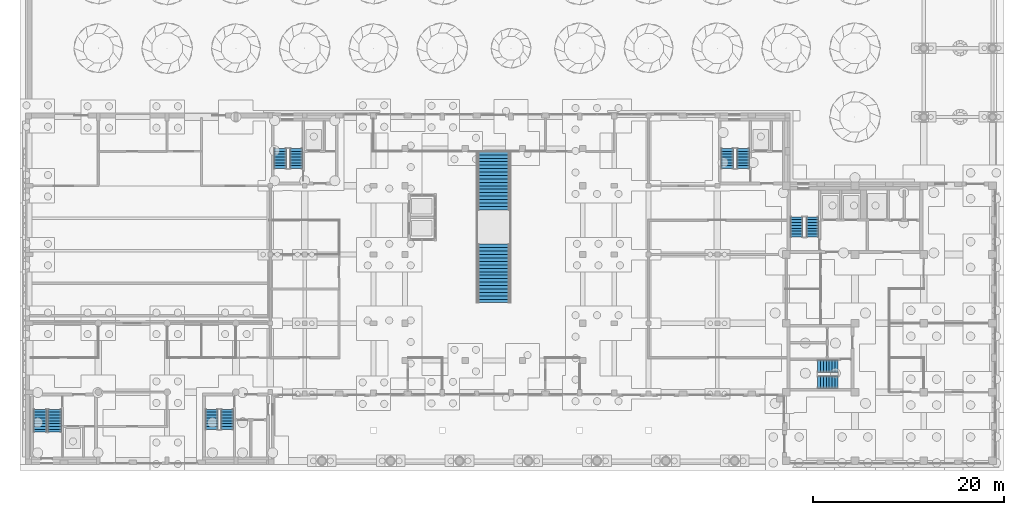
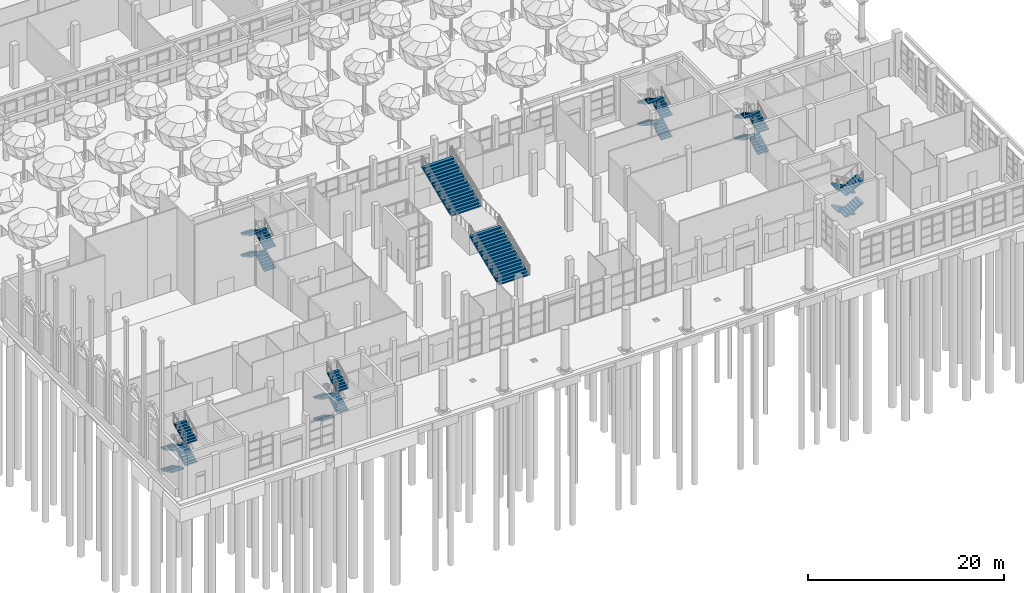
# One storey, part 54 of 80: 26 stair flights, 7 elements without a shape of their own.
"""IFC4 building model written with IfcOpenShell, lengths in metres."""

from ifc_helpers import new_model, si_unit, direction, frame, origin, place, context, subcontext, project, spatial, polyline, outline, extrude, material, type_object, element, aggregate, save


model = new_model("IFC4")

# Units and contexts
model_context = context("Model", 3, precision=1e-05, world=origin(), true_north=direction((0.0, 1.0)))
body_context = subcontext(model_context, "Body", "Model", "MODEL_VIEW")
ifc_project = project(units=[si_unit("LENGTHUNIT", "METRE"), si_unit("AREAUNIT", "SQUARE_METRE"), si_unit("VOLUMEUNIT", "CUBIC_METRE"), si_unit("PLANEANGLEUNIT", "RADIAN"), si_unit("MASSUNIT", "GRAM", prefix="KILO")], contexts=[model_context])

# Site, building, storey
site_placement = place(None, origin())
site = spatial("IfcSite", under=ifc_project, at=site_placement, CompositionType="ELEMENT")
building_placement = place(site_placement, origin())
building = spatial("IfcBuilding", under=site, at=building_placement, Name="Ussher Court Research Institute", CompositionType="ELEMENT")
storey_placement = place(building_placement, origin())
storey = spatial("IfcBuildingStorey", under=building, at=storey_placement, Name="L00", CompositionType="ELEMENT", Elevation=0.0)

# Stair, stair flights
ifc_material_1 = material(Name="Concrete C35/45", Category="concrete")
stair_type_1 = type_object("IfcStairType", Name="Monumental stair 36 risers 150 mm", PredefinedType="HALF_TURN_STAIR", material=ifc_material_1)
stair_1_placement = place(storey_placement, origin())
stair_1 = element("IfcStair", 1, at=stair_1_placement, inside=storey, type_object=stair_type_1, Name="L00 Monumental stair", PredefinedType="HALF_TURN_STAIR")
ifc_material_2 = material(Name="Concrete C35/45", Category="concrete")
stair_flight_type_1 = type_object("IfcStairFlightType", Name="Monumental stair flight 18 risers 3600 RC", PredefinedType="STRAIGHT", material=ifc_material_2)
stair_flight_1_placement = place(storey_placement, frame((51.60009765625, 20.56005859375, 0.0), z_axis=(0.0, 0.0, 1.0), x_axis=(0.0, 1.0, 0.0)))
stair_flight_1 = element("IfcStairFlight", 2, at=stair_flight_1_placement, type_object=stair_flight_type_1, Name="MS1 flight 1", NumberOfRisers=18, NumberOfTreads=17, PredefinedType="STRAIGHT", RiserHeight=0.15, TreadLength=0.36, context=body_context, shape_type="SweptSolid", body=[
    extrude(outline(polyline([(0.0, 0.0), (0.0, 0.14990234375), (0.360107421875, 0.14990234375), (0.360107421875, 0.300048828125), (0.719970703125, 0.300048828125), (0.719970703125, 0.449951171875), (1.080078125, 0.449951171875), (1.080078125, 0.60009765625), (1.43994140625, 0.60009765625), (1.43994140625, 0.75), (1.800048828125, 0.75), (1.800048828125, 0.89990234375), (2.159912109375, 0.89990234375), (2.159912109375, 1.050048828125), (2.52001953125, 1.050048828125), (2.52001953125, 1.199951171875), (2.8798828125, 1.199951171875), (2.8798828125, 1.35009765625), (3.239990234375, 1.35009765625), (3.239990234375, 1.5), (3.60009765625, 1.5), (3.60009765625, 1.64990234375), (3.9599609375, 1.64990234375), (3.9599609375, 1.800048828125), (4.320068359375, 1.800048828125), (4.320068359375, 1.949951171875), (4.679931640625, 1.949951171875), (4.679931640625, 2.10009765625), (5.0400390625, 2.10009765625), (5.0400390625, 2.25), (5.39990234375, 2.25), (5.39990234375, 2.39990234375), (5.760009765625, 2.39990234375), (5.760009765625, 2.550048828125), (6.1201171875, 2.550048828125), (6.1201171875, 2.699951171875), (6.1201171875, 2.33349609375), (0.519775390625, 0.0), (0.0, 0.0)])), frame((0.0, 1.800048828125, 0.0), z_axis=(0.0, -1.0, 0.0), x_axis=(1.0, 0.0, 0.0)), (0.0, 0.0, 1.0), 3.60009765625),
])
stair_flight_2_placement = place(storey_placement, frame((51.60009765625, 30.280029296875, 2.699951171875), z_axis=(0.0, 0.0, 1.0), x_axis=(0.0, 1.0, 0.0)))
stair_flight_2 = element("IfcStairFlight", 3, at=stair_flight_2_placement, type_object=stair_flight_type_1, Name="MS1 flight 2", NumberOfRisers=18, NumberOfTreads=17, PredefinedType="STRAIGHT", RiserHeight=0.15, TreadLength=0.36, context=body_context, shape_type="SweptSolid", body=[
    extrude(outline(polyline([(0.0, 0.0), (0.0, 0.14990234375), (0.360107421875, 0.14990234375), (0.360107421875, 0.300048828125), (0.719970703125, 0.300048828125), (0.719970703125, 0.449951171875), (1.080078125, 0.449951171875), (1.080078125, 0.60009765625), (1.43994140625, 0.60009765625), (1.43994140625, 0.75), (1.800048828125, 0.75), (1.800048828125, 0.89990234375), (2.159912109375, 0.89990234375), (2.159912109375, 1.050048828125), (2.52001953125, 1.050048828125), (2.52001953125, 1.199951171875), (2.8798828125, 1.199951171875), (2.8798828125, 1.35009765625), (3.239990234375, 1.35009765625), (3.239990234375, 1.5), (3.60009765625, 1.5), (3.60009765625, 1.64990234375), (3.9599609375, 1.64990234375), (3.9599609375, 1.800048828125), (4.320068359375, 1.800048828125), (4.320068359375, 1.949951171875), (4.679931640625, 1.949951171875), (4.679931640625, 2.10009765625), (5.0400390625, 2.10009765625), (5.0400390625, 2.25), (5.39990234375, 2.25), (5.39990234375, 2.39990234375), (5.760009765625, 2.39990234375), (5.760009765625, 2.550048828125), (6.1201171875, 2.550048828125), (6.1201171875, 2.699951171875), (6.1201171875, 2.33349609375), (0.519775390625, 0.0), (0.0, 0.0)])), frame((0.0, 1.800048828125, 0.0), z_axis=(0.0, -1.0, 0.0), x_axis=(1.0, 0.0, 0.0)), (0.0, 0.0, 1.0), 3.60009765625),
])
aggregate(stair_1, [stair_flight_1, stair_flight_2])

ifc_material_3 = material(Name="Concrete C35/45", Category="concrete")
stair_type_2 = type_object("IfcStairType", Name="Core stair 32 risers 169 mm x 300 going 1280 wide", PredefinedType="HALF_TURN_STAIR", material=ifc_material_3)
stair_2_placement = place(storey_placement, origin())
stair_2 = element("IfcStair", 4, at=stair_2_placement, inside=storey, type_object=stair_type_2, Name="L00 Stair T1", PredefinedType="HALF_TURN_STAIR")
ifc_material_4 = material(Name="Concrete C35/45", Category="concrete")
stair_flight_type_2 = type_object("IfcStairFlightType", Name="Stair flight 8 risers 1280 RC", PredefinedType="STRAIGHT", material=ifc_material_4)
stair_flight_3_placement = place(storey_placement, frame((84.9599609375, 27.449951171875, 0.0), z_axis=(0.0, 0.0, 1.0), x_axis=(0.0, 1.0, 0.0)))
stair_flight_3 = element("IfcStairFlight", 5, at=stair_flight_3_placement, type_object=stair_flight_type_2, Name="T1 flight 1", NumberOfRisers=8, NumberOfTreads=7, PredefinedType="STRAIGHT", RiserHeight=0.16875, TreadLength=0.3, context=body_context, shape_type="SweptSolid", body=[
    extrude(outline(polyline([(0.0, 0.0), (0.0, 0.168701171875), (0.300048828125, 0.168701171875), (0.300048828125, 0.33740234375), (0.60009765625, 0.33740234375), (0.60009765625, 0.50634765625), (0.89990234375, 0.50634765625), (0.89990234375, 0.675048828125), (1.199951171875, 0.675048828125), (1.199951171875, 0.84375), (1.5, 0.84375), (1.5, 1.012451171875), (1.800048828125, 1.012451171875), (1.800048828125, 1.18115234375), (2.10009765625, 1.18115234375), (2.10009765625, 1.35009765625), (2.10009765625, 1.00927734375), (0.3056640625, 0.0), (0.0, 0.0)])), frame((0.0, 0.64013671875, 0.0), z_axis=(0.0, -1.0, 0.0), x_axis=(1.0, 0.0, 0.0)), (0.0, 0.0, 1.0), 1.280029296875),
])
stair_flight_4_placement = place(storey_placement, frame((83.2900390625, 29.550048828125, 1.35009765625), z_axis=(0.0, 0.0, 1.0), x_axis=(0.0, -1.0, 0.0)))
stair_flight_4 = element("IfcStairFlight", 6, at=stair_flight_4_placement, type_object=stair_flight_type_2, Name="T1 flight 2", NumberOfRisers=8, NumberOfTreads=7, PredefinedType="STRAIGHT", RiserHeight=0.16875, TreadLength=0.3, context=body_context, shape_type="SweptSolid", body=[
    extrude(outline(polyline([(0.0, 0.0), (0.0, 0.168701171875), (0.300048828125, 0.168701171875), (0.300048828125, 0.33740234375), (0.60009765625, 0.33740234375), (0.60009765625, 0.50634765625), (0.89990234375, 0.50634765625), (0.89990234375, 0.675048828125), (1.199951171875, 0.675048828125), (1.199951171875, 0.84375), (1.5, 0.84375), (1.5, 1.012451171875), (1.800048828125, 1.012451171875), (1.800048828125, 1.18115234375), (2.10009765625, 1.18115234375), (2.10009765625, 1.35009765625), (2.10009765625, 1.00927734375), (0.3056640625, 0.0), (0.0, 0.0)])), frame((0.0, 0.64013671875, 0.0), z_axis=(0.0, -1.0, 0.0), x_axis=(1.0, 0.0, 0.0)), (0.0, 0.0, 1.0), 1.280029296875),
])
stair_flight_5_placement = place(storey_placement, frame((84.9599609375, 27.449951171875, 2.699951171875), z_axis=(0.0, 0.0, 1.0), x_axis=(0.0, 1.0, 0.0)))
stair_flight_5 = element("IfcStairFlight", 7, at=stair_flight_5_placement, type_object=stair_flight_type_2, Name="T1 flight 3", NumberOfRisers=8, NumberOfTreads=7, PredefinedType="STRAIGHT", RiserHeight=0.16875, TreadLength=0.3, context=body_context, shape_type="SweptSolid", body=[
    extrude(outline(polyline([(0.0, 0.0), (0.0, 0.168701171875), (0.300048828125, 0.168701171875), (0.300048828125, 0.33740234375), (0.60009765625, 0.33740234375), (0.60009765625, 0.50634765625), (0.89990234375, 0.50634765625), (0.89990234375, 0.675048828125), (1.199951171875, 0.675048828125), (1.199951171875, 0.84375), (1.5, 0.84375), (1.5, 1.012451171875), (1.800048828125, 1.012451171875), (1.800048828125, 1.18115234375), (2.10009765625, 1.18115234375), (2.10009765625, 1.35009765625), (2.10009765625, 1.00927734375), (0.3056640625, 0.0), (0.0, 0.0)])), frame((0.0, 0.64013671875, 0.0), z_axis=(0.0, -1.0, 0.0), x_axis=(1.0, 0.0, 0.0)), (0.0, 0.0, 1.0), 1.280029296875),
])
stair_flight_6_placement = place(storey_placement, frame((83.2900390625, 29.550048828125, 4.050048828125), z_axis=(0.0, 0.0, 1.0), x_axis=(0.0, -1.0, 0.0)))
stair_flight_6 = element("IfcStairFlight", 8, at=stair_flight_6_placement, type_object=stair_flight_type_2, Name="T1 flight 4", NumberOfRisers=8, NumberOfTreads=7, PredefinedType="STRAIGHT", RiserHeight=0.16875, TreadLength=0.3, context=body_context, shape_type="SweptSolid", body=[
    extrude(outline(polyline([(0.0, 0.0), (0.0, 0.168701171875), (0.300048828125, 0.168701171875), (0.300048828125, 0.33740234375), (0.60009765625, 0.33740234375), (0.60009765625, 0.50634765625), (0.89990234375, 0.50634765625), (0.89990234375, 0.675048828125), (1.199951171875, 0.675048828125), (1.199951171875, 0.84375), (1.5, 0.84375), (1.5, 1.012451171875), (1.800048828125, 1.012451171875), (1.800048828125, 1.18115234375), (2.10009765625, 1.18115234375), (2.10009765625, 1.35009765625), (2.10009765625, 1.00927734375), (0.3056640625, 0.0), (0.0, 0.0)])), frame((0.0, 0.64013671875, 0.0), z_axis=(0.0, -1.0, 0.0), x_axis=(1.0, 0.0, 0.0)), (0.0, 0.0, 1.0), 1.280029296875),
])
aggregate(stair_2, [stair_flight_3, stair_flight_4, stair_flight_5, stair_flight_6])

ifc_material_5 = material(Name="Concrete C35/45", Category="concrete")
stair_type_3 = type_object("IfcStairType", Name="Core stair 32 risers 169 mm x 300 going 1300 wide", PredefinedType="HALF_TURN_STAIR", material=ifc_material_5)
stair_3_placement = place(storey_placement, origin())
stair_3 = element("IfcStair", 9, at=stair_3_placement, inside=storey, type_object=stair_type_3, Name="L00 Stair E1", PredefinedType="HALF_TURN_STAIR")
ifc_material_6 = material(Name="Concrete C35/45", Category="concrete")
stair_flight_type_3 = type_object("IfcStairFlightType", Name="Stair flight 8 risers 1300 RC", PredefinedType="STRAIGHT", material=ifc_material_6)
stair_flight_7_placement = place(storey_placement, frame((77.699951171875, 34.60009765625, 0.0), z_axis=(0.0, 0.0, 1.0), x_axis=(0.0, 1.0, 0.0)))
stair_flight_7 = element("IfcStairFlight", 10, at=stair_flight_7_placement, type_object=stair_flight_type_3, Name="E1 flight 1", NumberOfRisers=8, NumberOfTreads=7, PredefinedType="STRAIGHT", RiserHeight=0.16875, TreadLength=0.3, context=body_context, shape_type="SweptSolid", body=[
    extrude(outline(polyline([(0.0, 0.0), (0.0, 0.168701171875), (0.300048828125, 0.168701171875), (0.300048828125, 0.33740234375), (0.60009765625, 0.33740234375), (0.60009765625, 0.50634765625), (0.89990234375, 0.50634765625), (0.89990234375, 0.675048828125), (1.199951171875, 0.675048828125), (1.199951171875, 0.84375), (1.5, 0.84375), (1.5, 1.012451171875), (1.800048828125, 1.012451171875), (1.800048828125, 1.18115234375), (2.10009765625, 1.18115234375), (2.10009765625, 1.35009765625), (2.10009765625, 1.00927734375), (0.3056640625, 0.0), (0.0, 0.0)])), frame((0.0, 0.64990234375, 0.0), z_axis=(0.0, -1.0, 0.0), x_axis=(1.0, 0.0, 0.0)), (0.0, 0.0, 1.0), 1.300048828125),
])
stair_flight_8_placement = place(storey_placement, frame((76.050048828125, 36.699951171875, 1.35009765625), z_axis=(0.0, 0.0, 1.0), x_axis=(0.0, -1.0, 0.0)))
stair_flight_8 = element("IfcStairFlight", 11, at=stair_flight_8_placement, type_object=stair_flight_type_3, Name="E1 flight 2", NumberOfRisers=8, NumberOfTreads=7, PredefinedType="STRAIGHT", RiserHeight=0.16875, TreadLength=0.3, context=body_context, shape_type="SweptSolid", body=[
    extrude(outline(polyline([(0.0, 0.0), (0.0, 0.168701171875), (0.300048828125, 0.168701171875), (0.300048828125, 0.33740234375), (0.60009765625, 0.33740234375), (0.60009765625, 0.50634765625), (0.89990234375, 0.50634765625), (0.89990234375, 0.675048828125), (1.199951171875, 0.675048828125), (1.199951171875, 0.84375), (1.5, 0.84375), (1.5, 1.012451171875), (1.800048828125, 1.012451171875), (1.800048828125, 1.18115234375), (2.10009765625, 1.18115234375), (2.10009765625, 1.35009765625), (2.10009765625, 1.00927734375), (0.3056640625, 0.0), (0.0, 0.0)])), frame((0.0, 0.64990234375, 0.0), z_axis=(0.0, -1.0, 0.0), x_axis=(1.0, 0.0, 0.0)), (0.0, 0.0, 1.0), 1.300048828125),
])
stair_flight_9_placement = place(storey_placement, frame((77.699951171875, 34.60009765625, 2.699951171875), z_axis=(0.0, 0.0, 1.0), x_axis=(0.0, 1.0, 0.0)))
stair_flight_9 = element("IfcStairFlight", 12, at=stair_flight_9_placement, type_object=stair_flight_type_3, Name="E1 flight 3", NumberOfRisers=8, NumberOfTreads=7, PredefinedType="STRAIGHT", RiserHeight=0.16875, TreadLength=0.3, context=body_context, shape_type="SweptSolid", body=[
    extrude(outline(polyline([(0.0, 0.0), (0.0, 0.168701171875), (0.300048828125, 0.168701171875), (0.300048828125, 0.33740234375), (0.60009765625, 0.33740234375), (0.60009765625, 0.50634765625), (0.89990234375, 0.50634765625), (0.89990234375, 0.675048828125), (1.199951171875, 0.675048828125), (1.199951171875, 0.84375), (1.5, 0.84375), (1.5, 1.012451171875), (1.800048828125, 1.012451171875), (1.800048828125, 1.18115234375), (2.10009765625, 1.18115234375), (2.10009765625, 1.35009765625), (2.10009765625, 1.00927734375), (0.3056640625, 0.0), (0.0, 0.0)])), frame((0.0, 0.64990234375, 0.0), z_axis=(0.0, -1.0, 0.0), x_axis=(1.0, 0.0, 0.0)), (0.0, 0.0, 1.0), 1.300048828125),
])
stair_flight_10_placement = place(storey_placement, frame((76.050048828125, 36.699951171875, 4.050048828125), z_axis=(0.0, 0.0, 1.0), x_axis=(0.0, -1.0, 0.0)))
stair_flight_10 = element("IfcStairFlight", 13, at=stair_flight_10_placement, type_object=stair_flight_type_3, Name="E1 flight 4", NumberOfRisers=8, NumberOfTreads=7, PredefinedType="STRAIGHT", RiserHeight=0.16875, TreadLength=0.3, context=body_context, shape_type="SweptSolid", body=[
    extrude(outline(polyline([(0.0, 0.0), (0.0, 0.168701171875), (0.300048828125, 0.168701171875), (0.300048828125, 0.33740234375), (0.60009765625, 0.33740234375), (0.60009765625, 0.50634765625), (0.89990234375, 0.50634765625), (0.89990234375, 0.675048828125), (1.199951171875, 0.675048828125), (1.199951171875, 0.84375), (1.5, 0.84375), (1.5, 1.012451171875), (1.800048828125, 1.012451171875), (1.800048828125, 1.18115234375), (2.10009765625, 1.18115234375), (2.10009765625, 1.35009765625), (2.10009765625, 1.00927734375), (0.3056640625, 0.0), (0.0, 0.0)])), frame((0.0, 0.64990234375, 0.0), z_axis=(0.0, -1.0, 0.0), x_axis=(1.0, 0.0, 0.0)), (0.0, 0.0, 1.0), 1.300048828125),
])
aggregate(stair_3, [stair_flight_7, stair_flight_8, stair_flight_9, stair_flight_10])

stair_4_placement = place(storey_placement, origin())
stair_4 = element("IfcStair", 14, at=stair_4_placement, inside=storey, type_object=stair_type_3, Name="L00 Stair H2", PredefinedType="HALF_TURN_STAIR")
stair_flight_11_placement = place(storey_placement, frame((22.050048828125, 9.39990234375, 0.0), z_axis=(0.0, 0.0, 1.0), x_axis=(0.0, -1.0, 0.0)))
stair_flight_11 = element("IfcStairFlight", 15, at=stair_flight_11_placement, type_object=stair_flight_type_3, Name="H2 flight 1", NumberOfRisers=8, NumberOfTreads=7, PredefinedType="STRAIGHT", RiserHeight=0.16875, TreadLength=0.3, context=body_context, shape_type="SweptSolid", body=[
    extrude(outline(polyline([(0.0, 0.0), (0.0, 0.168701171875), (0.300048828125, 0.168701171875), (0.300048828125, 0.33740234375), (0.60009765625, 0.33740234375), (0.60009765625, 0.50634765625), (0.89990234375, 0.50634765625), (0.89990234375, 0.675048828125), (1.199951171875, 0.675048828125), (1.199951171875, 0.84375), (1.5, 0.84375), (1.5, 1.012451171875), (1.800048828125, 1.012451171875), (1.800048828125, 1.18115234375), (2.10009765625, 1.18115234375), (2.10009765625, 1.35009765625), (2.10009765625, 1.00927734375), (0.3056640625, 0.0), (0.0, 0.0)])), frame((0.0, 0.64990234375, 0.0), z_axis=(0.0, -1.0, 0.0), x_axis=(1.0, 0.0, 0.0)), (0.0, 0.0, 1.0), 1.300048828125),
])
stair_flight_12_placement = place(storey_placement, frame((23.699951171875, 7.300048828125, 1.35009765625), z_axis=(0.0, 0.0, 1.0), x_axis=(0.0, 1.0, 0.0)))
stair_flight_12 = element("IfcStairFlight", 16, at=stair_flight_12_placement, type_object=stair_flight_type_3, Name="H2 flight 2", NumberOfRisers=8, NumberOfTreads=7, PredefinedType="STRAIGHT", RiserHeight=0.16875, TreadLength=0.3, context=body_context, shape_type="SweptSolid", body=[
    extrude(outline(polyline([(0.0, 0.0), (0.0, 0.168701171875), (0.300048828125, 0.168701171875), (0.300048828125, 0.33740234375), (0.60009765625, 0.33740234375), (0.60009765625, 0.50634765625), (0.89990234375, 0.50634765625), (0.89990234375, 0.675048828125), (1.199951171875, 0.675048828125), (1.199951171875, 0.84375), (1.5, 0.84375), (1.5, 1.012451171875), (1.800048828125, 1.012451171875), (1.800048828125, 1.18115234375), (2.10009765625, 1.18115234375), (2.10009765625, 1.35009765625), (2.10009765625, 1.00927734375), (0.3056640625, 0.0), (0.0, 0.0)])), frame((0.0, 0.64990234375, 0.0), z_axis=(0.0, -1.0, 0.0), x_axis=(1.0, 0.0, 0.0)), (0.0, 0.0, 1.0), 1.300048828125),
])
stair_flight_13_placement = place(storey_placement, frame((22.050048828125, 9.39990234375, 2.699951171875), z_axis=(0.0, 0.0, 1.0), x_axis=(0.0, -1.0, 0.0)))
stair_flight_13 = element("IfcStairFlight", 17, at=stair_flight_13_placement, type_object=stair_flight_type_3, Name="H2 flight 3", NumberOfRisers=8, NumberOfTreads=7, PredefinedType="STRAIGHT", RiserHeight=0.16875, TreadLength=0.3, context=body_context, shape_type="SweptSolid", body=[
    extrude(outline(polyline([(0.0, 0.0), (0.0, 0.168701171875), (0.300048828125, 0.168701171875), (0.300048828125, 0.33740234375), (0.60009765625, 0.33740234375), (0.60009765625, 0.50634765625), (0.89990234375, 0.50634765625), (0.89990234375, 0.675048828125), (1.199951171875, 0.675048828125), (1.199951171875, 0.84375), (1.5, 0.84375), (1.5, 1.012451171875), (1.800048828125, 1.012451171875), (1.800048828125, 1.18115234375), (2.10009765625, 1.18115234375), (2.10009765625, 1.35009765625), (2.10009765625, 1.00927734375), (0.3056640625, 0.0), (0.0, 0.0)])), frame((0.0, 0.64990234375, 0.0), z_axis=(0.0, -1.0, 0.0), x_axis=(1.0, 0.0, 0.0)), (0.0, 0.0, 1.0), 1.300048828125),
])
stair_flight_14_placement = place(storey_placement, frame((23.699951171875, 7.300048828125, 4.050048828125), z_axis=(0.0, 0.0, 1.0), x_axis=(0.0, 1.0, 0.0)))
stair_flight_14 = element("IfcStairFlight", 18, at=stair_flight_14_placement, type_object=stair_flight_type_3, Name="H2 flight 4", NumberOfRisers=8, NumberOfTreads=7, PredefinedType="STRAIGHT", RiserHeight=0.16875, TreadLength=0.3, context=body_context, shape_type="SweptSolid", body=[
    extrude(outline(polyline([(0.0, 0.0), (0.0, 0.168701171875), (0.300048828125, 0.168701171875), (0.300048828125, 0.33740234375), (0.60009765625, 0.33740234375), (0.60009765625, 0.50634765625), (0.89990234375, 0.50634765625), (0.89990234375, 0.675048828125), (1.199951171875, 0.675048828125), (1.199951171875, 0.84375), (1.5, 0.84375), (1.5, 1.012451171875), (1.800048828125, 1.012451171875), (1.800048828125, 1.18115234375), (2.10009765625, 1.18115234375), (2.10009765625, 1.35009765625), (2.10009765625, 1.00927734375), (0.3056640625, 0.0), (0.0, 0.0)])), frame((0.0, 0.64990234375, 0.0), z_axis=(0.0, -1.0, 0.0), x_axis=(1.0, 0.0, 0.0)), (0.0, 0.0, 1.0), 1.300048828125),
])
aggregate(stair_4, [stair_flight_11, stair_flight_12, stair_flight_13, stair_flight_14])

stair_5_placement = place(storey_placement, origin())
stair_5 = element("IfcStair", 19, at=stair_5_placement, inside=storey, type_object=stair_type_3, Name="L00 Stair T2", PredefinedType="HALF_TURN_STAIR")
stair_flight_15_placement = place(storey_placement, frame((87.60009765625, 13.89990234375, 0.0), z_axis=(0.0, 0.0, 1.0), x_axis=(-1.0, 0.0, 0.0)))
stair_flight_15 = element("IfcStairFlight", 20, at=stair_flight_15_placement, type_object=stair_flight_type_3, Name="T2 flight 1", NumberOfRisers=8, NumberOfTreads=7, PredefinedType="STRAIGHT", RiserHeight=0.16875, TreadLength=0.3, context=body_context, shape_type="SweptSolid", body=[
    extrude(outline(polyline([(0.0, 0.0), (0.0, 0.168701171875), (0.300048828125, 0.168701171875), (0.300048828125, 0.33740234375), (0.60009765625, 0.33740234375), (0.60009765625, 0.50634765625), (0.89990234375, 0.50634765625), (0.89990234375, 0.675048828125), (1.199951171875, 0.675048828125), (1.199951171875, 0.84375), (1.5, 0.84375), (1.5, 1.012451171875), (1.800048828125, 1.012451171875), (1.800048828125, 1.18115234375), (2.10009765625, 1.18115234375), (2.10009765625, 1.35009765625), (2.10009765625, 1.00927734375), (0.3056640625, 0.0), (0.0, 0.0)])), frame((0.0, 0.64990234375, 0.0), z_axis=(0.0, -1.0, 0.0), x_axis=(1.0, 0.0, 0.0)), (0.0, 0.0, 1.0), 1.300048828125),
])
stair_flight_16_placement = place(storey_placement, frame((85.5, 12.25, 1.35009765625), z_axis=(0.0, 0.0, 1.0), x_axis=(1.0, 0.0, 0.0)))
stair_flight_16 = element("IfcStairFlight", 21, at=stair_flight_16_placement, type_object=stair_flight_type_3, Name="T2 flight 2", NumberOfRisers=8, NumberOfTreads=7, PredefinedType="STRAIGHT", RiserHeight=0.16875, TreadLength=0.3, context=body_context, shape_type="SweptSolid", body=[
    extrude(outline(polyline([(0.0, 0.0), (0.0, 0.168701171875), (0.300048828125, 0.168701171875), (0.300048828125, 0.33740234375), (0.60009765625, 0.33740234375), (0.60009765625, 0.50634765625), (0.89990234375, 0.50634765625), (0.89990234375, 0.675048828125), (1.199951171875, 0.675048828125), (1.199951171875, 0.84375), (1.5, 0.84375), (1.5, 1.012451171875), (1.800048828125, 1.012451171875), (1.800048828125, 1.18115234375), (2.10009765625, 1.18115234375), (2.10009765625, 1.35009765625), (2.10009765625, 1.00927734375), (0.3056640625, 0.0), (0.0, 0.0)])), frame((0.0, 0.64990234375, 0.0), z_axis=(0.0, -1.0, 0.0), x_axis=(1.0, 0.0, 0.0)), (0.0, 0.0, 1.0), 1.300048828125),
])
stair_flight_17_placement = place(storey_placement, frame((87.60009765625, 13.89990234375, 2.699951171875), z_axis=(0.0, 0.0, 1.0), x_axis=(-1.0, 0.0, 0.0)))
stair_flight_17 = element("IfcStairFlight", 22, at=stair_flight_17_placement, type_object=stair_flight_type_3, Name="T2 flight 3", NumberOfRisers=8, NumberOfTreads=7, PredefinedType="STRAIGHT", RiserHeight=0.16875, TreadLength=0.3, context=body_context, shape_type="SweptSolid", body=[
    extrude(outline(polyline([(0.0, 0.0), (0.0, 0.168701171875), (0.300048828125, 0.168701171875), (0.300048828125, 0.33740234375), (0.60009765625, 0.33740234375), (0.60009765625, 0.50634765625), (0.89990234375, 0.50634765625), (0.89990234375, 0.675048828125), (1.199951171875, 0.675048828125), (1.199951171875, 0.84375), (1.5, 0.84375), (1.5, 1.012451171875), (1.800048828125, 1.012451171875), (1.800048828125, 1.18115234375), (2.10009765625, 1.18115234375), (2.10009765625, 1.35009765625), (2.10009765625, 1.00927734375), (0.3056640625, 0.0), (0.0, 0.0)])), frame((0.0, 0.64990234375, 0.0), z_axis=(0.0, -1.0, 0.0), x_axis=(1.0, 0.0, 0.0)), (0.0, 0.0, 1.0), 1.300048828125),
])
stair_flight_18_placement = place(storey_placement, frame((85.5, 12.25, 4.050048828125), z_axis=(0.0, 0.0, 1.0), x_axis=(1.0, 0.0, 0.0)))
stair_flight_18 = element("IfcStairFlight", 23, at=stair_flight_18_placement, type_object=stair_flight_type_3, Name="T2 flight 4", NumberOfRisers=8, NumberOfTreads=7, PredefinedType="STRAIGHT", RiserHeight=0.16875, TreadLength=0.3, context=body_context, shape_type="SweptSolid", body=[
    extrude(outline(polyline([(0.0, 0.0), (0.0, 0.168701171875), (0.300048828125, 0.168701171875), (0.300048828125, 0.33740234375), (0.60009765625, 0.33740234375), (0.60009765625, 0.50634765625), (0.89990234375, 0.50634765625), (0.89990234375, 0.675048828125), (1.199951171875, 0.675048828125), (1.199951171875, 0.84375), (1.5, 0.84375), (1.5, 1.012451171875), (1.800048828125, 1.012451171875), (1.800048828125, 1.18115234375), (2.10009765625, 1.18115234375), (2.10009765625, 1.35009765625), (2.10009765625, 1.00927734375), (0.3056640625, 0.0), (0.0, 0.0)])), frame((0.0, 0.64990234375, 0.0), z_axis=(0.0, -1.0, 0.0), x_axis=(1.0, 0.0, 0.0)), (0.0, 0.0, 1.0), 1.300048828125),
])
aggregate(stair_5, [stair_flight_15, stair_flight_16, stair_flight_17, stair_flight_18])

stair_6_placement = place(storey_placement, origin())
stair_6 = element("IfcStair", 24, at=stair_6_placement, inside=storey, type_object=stair_type_3, Name="L00 Stair W1", PredefinedType="HALF_TURN_STAIR")
stair_flight_19_placement = place(storey_placement, frame((30.89990234375, 34.60009765625, 0.0), z_axis=(0.0, 0.0, 1.0), x_axis=(0.0, 1.0, 0.0)))
stair_flight_19 = element("IfcStairFlight", 25, at=stair_flight_19_placement, type_object=stair_flight_type_3, Name="W1 flight 1", NumberOfRisers=8, NumberOfTreads=7, PredefinedType="STRAIGHT", RiserHeight=0.16875, TreadLength=0.3, context=body_context, shape_type="SweptSolid", body=[
    extrude(outline(polyline([(0.0, 0.0), (0.0, 0.168701171875), (0.300048828125, 0.168701171875), (0.300048828125, 0.33740234375), (0.60009765625, 0.33740234375), (0.60009765625, 0.50634765625), (0.89990234375, 0.50634765625), (0.89990234375, 0.675048828125), (1.199951171875, 0.675048828125), (1.199951171875, 0.84375), (1.5, 0.84375), (1.5, 1.012451171875), (1.800048828125, 1.012451171875), (1.800048828125, 1.18115234375), (2.10009765625, 1.18115234375), (2.10009765625, 1.35009765625), (2.10009765625, 1.00927734375), (0.3056640625, 0.0), (0.0, 0.0)])), frame((0.0, 0.64990234375, 0.0), z_axis=(0.0, -1.0, 0.0), x_axis=(1.0, 0.0, 0.0)), (0.0, 0.0, 1.0), 1.300048828125),
])
stair_flight_20_placement = place(storey_placement, frame((29.25, 36.699951171875, 1.35009765625), z_axis=(0.0, 0.0, 1.0), x_axis=(0.0, -1.0, 0.0)))
stair_flight_20 = element("IfcStairFlight", 26, at=stair_flight_20_placement, type_object=stair_flight_type_3, Name="W1 flight 2", NumberOfRisers=8, NumberOfTreads=7, PredefinedType="STRAIGHT", RiserHeight=0.16875, TreadLength=0.3, context=body_context, shape_type="SweptSolid", body=[
    extrude(outline(polyline([(0.0, 0.0), (0.0, 0.168701171875), (0.300048828125, 0.168701171875), (0.300048828125, 0.33740234375), (0.60009765625, 0.33740234375), (0.60009765625, 0.50634765625), (0.89990234375, 0.50634765625), (0.89990234375, 0.675048828125), (1.199951171875, 0.675048828125), (1.199951171875, 0.84375), (1.5, 0.84375), (1.5, 1.012451171875), (1.800048828125, 1.012451171875), (1.800048828125, 1.18115234375), (2.10009765625, 1.18115234375), (2.10009765625, 1.35009765625), (2.10009765625, 1.00927734375), (0.3056640625, 0.0), (0.0, 0.0)])), frame((0.0, 0.64990234375, 0.0), z_axis=(0.0, -1.0, 0.0), x_axis=(1.0, 0.0, 0.0)), (0.0, 0.0, 1.0), 1.300048828125),
])
stair_flight_21_placement = place(storey_placement, frame((30.89990234375, 34.60009765625, 2.699951171875), z_axis=(0.0, 0.0, 1.0), x_axis=(0.0, 1.0, 0.0)))
stair_flight_21 = element("IfcStairFlight", 27, at=stair_flight_21_placement, type_object=stair_flight_type_3, Name="W1 flight 3", NumberOfRisers=8, NumberOfTreads=7, PredefinedType="STRAIGHT", RiserHeight=0.16875, TreadLength=0.3, context=body_context, shape_type="SweptSolid", body=[
    extrude(outline(polyline([(0.0, 0.0), (0.0, 0.168701171875), (0.300048828125, 0.168701171875), (0.300048828125, 0.33740234375), (0.60009765625, 0.33740234375), (0.60009765625, 0.50634765625), (0.89990234375, 0.50634765625), (0.89990234375, 0.675048828125), (1.199951171875, 0.675048828125), (1.199951171875, 0.84375), (1.5, 0.84375), (1.5, 1.012451171875), (1.800048828125, 1.012451171875), (1.800048828125, 1.18115234375), (2.10009765625, 1.18115234375), (2.10009765625, 1.35009765625), (2.10009765625, 1.00927734375), (0.3056640625, 0.0), (0.0, 0.0)])), frame((0.0, 0.64990234375, 0.0), z_axis=(0.0, -1.0, 0.0), x_axis=(1.0, 0.0, 0.0)), (0.0, 0.0, 1.0), 1.300048828125),
])
stair_flight_22_placement = place(storey_placement, frame((29.25, 36.699951171875, 4.050048828125), z_axis=(0.0, 0.0, 1.0), x_axis=(0.0, -1.0, 0.0)))
stair_flight_22 = element("IfcStairFlight", 28, at=stair_flight_22_placement, type_object=stair_flight_type_3, Name="W1 flight 4", NumberOfRisers=8, NumberOfTreads=7, PredefinedType="STRAIGHT", RiserHeight=0.16875, TreadLength=0.3, context=body_context, shape_type="SweptSolid", body=[
    extrude(outline(polyline([(0.0, 0.0), (0.0, 0.168701171875), (0.300048828125, 0.168701171875), (0.300048828125, 0.33740234375), (0.60009765625, 0.33740234375), (0.60009765625, 0.50634765625), (0.89990234375, 0.50634765625), (0.89990234375, 0.675048828125), (1.199951171875, 0.675048828125), (1.199951171875, 0.84375), (1.5, 0.84375), (1.5, 1.012451171875), (1.800048828125, 1.012451171875), (1.800048828125, 1.18115234375), (2.10009765625, 1.18115234375), (2.10009765625, 1.35009765625), (2.10009765625, 1.00927734375), (0.3056640625, 0.0), (0.0, 0.0)])), frame((0.0, 0.64990234375, 0.0), z_axis=(0.0, -1.0, 0.0), x_axis=(1.0, 0.0, 0.0)), (0.0, 0.0, 1.0), 1.300048828125),
])
aggregate(stair_6, [stair_flight_19, stair_flight_20, stair_flight_21, stair_flight_22])

ifc_material_7 = material(Name="Concrete C35/45", Category="concrete")
stair_type_4 = type_object("IfcStairType", Name="Core stair 36 risers 150 mm x 300 going 1400 wide", PredefinedType="HALF_TURN_STAIR", material=ifc_material_7)
stair_7_placement = place(storey_placement, origin())
stair_7 = element("IfcStair", 29, at=stair_7_placement, inside=storey, type_object=stair_type_4, Name="L00 Stair H1", PredefinedType="HALF_TURN_STAIR")
ifc_material_8 = material(Name="Concrete C35/45", Category="concrete")
stair_flight_type_4 = type_object("IfcStairFlightType", Name="Stair flight 9 risers 1400 RC", PredefinedType="STRAIGHT", material=ifc_material_8)
stair_flight_23_placement = place(storey_placement, frame((4.10009765625, 9.39990234375, 0.0), z_axis=(0.0, 0.0, 1.0), x_axis=(0.0, -1.0, 0.0)))
stair_flight_23 = element("IfcStairFlight", 30, at=stair_flight_23_placement, type_object=stair_flight_type_4, Name="H1 flight 1", NumberOfRisers=9, NumberOfTreads=8, PredefinedType="STRAIGHT", RiserHeight=0.15, TreadLength=0.3, context=body_context, shape_type="SweptSolid", body=[
    extrude(outline(polyline([(0.0, 0.0), (0.0, 0.14990234375), (0.300048828125, 0.14990234375), (0.300048828125, 0.300048828125), (0.60009765625, 0.300048828125), (0.60009765625, 0.449951171875), (0.89990234375, 0.449951171875), (0.89990234375, 0.60009765625), (1.199951171875, 0.60009765625), (1.199951171875, 0.75), (1.5, 0.75), (1.5, 0.89990234375), (1.800048828125, 0.89990234375), (1.800048828125, 1.050048828125), (2.10009765625, 1.050048828125), (2.10009765625, 1.199951171875), (2.39990234375, 1.199951171875), (2.39990234375, 1.35009765625), (2.39990234375, 1.032470703125), (0.335205078125, 0.0), (0.0, 0.0)])), frame((0.0, 0.699951171875, 0.0), z_axis=(0.0, -1.0, 0.0), x_axis=(1.0, 0.0, 0.0)), (0.0, 0.0, 1.0), 1.39990234375),
])
stair_flight_24_placement = place(storey_placement, frame((5.64990234375, 7.0, 1.35009765625), z_axis=(0.0, 0.0, 1.0), x_axis=(0.0, 1.0, 0.0)))
stair_flight_24 = element("IfcStairFlight", 31, at=stair_flight_24_placement, type_object=stair_flight_type_4, Name="H1 flight 2", NumberOfRisers=9, NumberOfTreads=8, PredefinedType="STRAIGHT", RiserHeight=0.15, TreadLength=0.3, context=body_context, shape_type="SweptSolid", body=[
    extrude(outline(polyline([(0.0, 0.0), (0.0, 0.14990234375), (0.300048828125, 0.14990234375), (0.300048828125, 0.300048828125), (0.60009765625, 0.300048828125), (0.60009765625, 0.449951171875), (0.89990234375, 0.449951171875), (0.89990234375, 0.60009765625), (1.199951171875, 0.60009765625), (1.199951171875, 0.75), (1.5, 0.75), (1.5, 0.89990234375), (1.800048828125, 0.89990234375), (1.800048828125, 1.050048828125), (2.10009765625, 1.050048828125), (2.10009765625, 1.199951171875), (2.39990234375, 1.199951171875), (2.39990234375, 1.35009765625), (2.39990234375, 1.032470703125), (0.335205078125, 0.0), (0.0, 0.0)])), frame((0.0, 0.699951171875, 0.0), z_axis=(0.0, -1.0, 0.0), x_axis=(1.0, 0.0, 0.0)), (0.0, 0.0, 1.0), 1.39990234375),
])
stair_flight_25_placement = place(storey_placement, frame((4.10009765625, 9.39990234375, 2.699951171875), z_axis=(0.0, 0.0, 1.0), x_axis=(0.0, -1.0, 0.0)))
stair_flight_25 = element("IfcStairFlight", 32, at=stair_flight_25_placement, type_object=stair_flight_type_4, Name="H1 flight 3", NumberOfRisers=9, NumberOfTreads=8, PredefinedType="STRAIGHT", RiserHeight=0.15, TreadLength=0.3, context=body_context, shape_type="SweptSolid", body=[
    extrude(outline(polyline([(0.0, 0.0), (0.0, 0.14990234375), (0.300048828125, 0.14990234375), (0.300048828125, 0.300048828125), (0.60009765625, 0.300048828125), (0.60009765625, 0.449951171875), (0.89990234375, 0.449951171875), (0.89990234375, 0.60009765625), (1.199951171875, 0.60009765625), (1.199951171875, 0.75), (1.5, 0.75), (1.5, 0.89990234375), (1.800048828125, 0.89990234375), (1.800048828125, 1.050048828125), (2.10009765625, 1.050048828125), (2.10009765625, 1.199951171875), (2.39990234375, 1.199951171875), (2.39990234375, 1.35009765625), (2.39990234375, 1.032470703125), (0.335205078125, 0.0), (0.0, 0.0)])), frame((0.0, 0.699951171875, 0.0), z_axis=(0.0, -1.0, 0.0), x_axis=(1.0, 0.0, 0.0)), (0.0, 0.0, 1.0), 1.39990234375),
])
stair_flight_26_placement = place(storey_placement, frame((5.64990234375, 7.0, 4.050048828125), z_axis=(0.0, 0.0, 1.0), x_axis=(0.0, 1.0, 0.0)))
stair_flight_26 = element("IfcStairFlight", 33, at=stair_flight_26_placement, type_object=stair_flight_type_4, Name="H1 flight 4", NumberOfRisers=9, NumberOfTreads=8, PredefinedType="STRAIGHT", RiserHeight=0.15, TreadLength=0.3, context=body_context, shape_type="SweptSolid", body=[
    extrude(outline(polyline([(0.0, 0.0), (0.0, 0.14990234375), (0.300048828125, 0.14990234375), (0.300048828125, 0.300048828125), (0.60009765625, 0.300048828125), (0.60009765625, 0.449951171875), (0.89990234375, 0.449951171875), (0.89990234375, 0.60009765625), (1.199951171875, 0.60009765625), (1.199951171875, 0.75), (1.5, 0.75), (1.5, 0.89990234375), (1.800048828125, 0.89990234375), (1.800048828125, 1.050048828125), (2.10009765625, 1.050048828125), (2.10009765625, 1.199951171875), (2.39990234375, 1.199951171875), (2.39990234375, 1.35009765625), (2.39990234375, 1.032470703125), (0.335205078125, 0.0), (0.0, 0.0)])), frame((0.0, 0.699951171875, 0.0), z_axis=(0.0, -1.0, 0.0), x_axis=(1.0, 0.0, 0.0)), (0.0, 0.0, 1.0), 1.39990234375),
])
aggregate(stair_7, [stair_flight_23, stair_flight_24, stair_flight_25, stair_flight_26])

save(model, "model.ifc")
